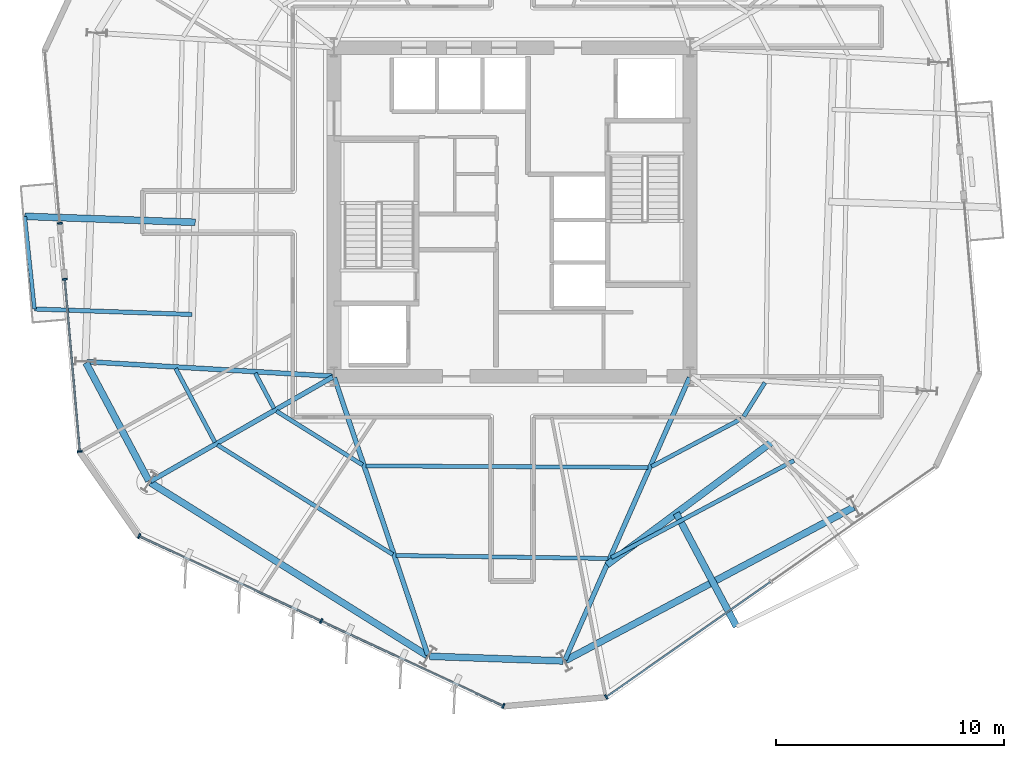
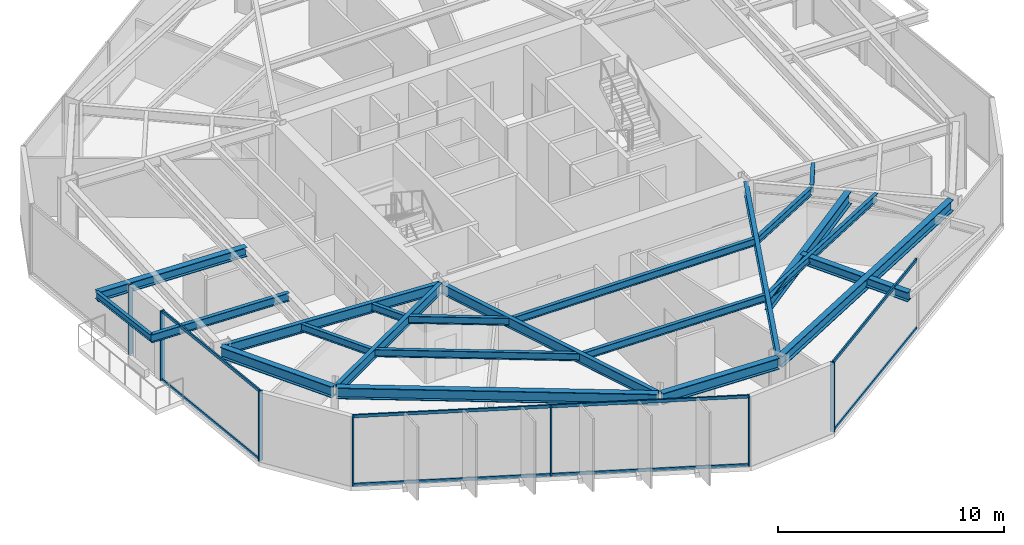
# One storey, part 2 of 13: 22 beams, 15 members, 4 elements without a shape of their own.
"""IFC4 building model written with IfcOpenShell, lengths in metres."""

import ifcopenshell
import ifcopenshell.guid

model = None  # the IFC model being written
_history = None  # IfcOwnerHistory: only IFC2X3 demands one
_inside = {}  # id of a spatial element -> (the spatial element, [elements in it])
_under = {}  # id of a project, library or spatial element -> (it, [spatial elements below it])
_declared = {}  # id of a project -> (the project, [libraries it declares])
_typed = {}  # id of a type object -> (the type object, [elements of that type])
_made_of = {}  # id of a material, layer set ... -> (it, [elements and type objects made of it])


def new_model(schema):
    """Start an empty IFC model of exactly this schema.

    Asked for "IFC4X3", IfcOpenShell would pick the latest addendum, in which some entities
    have other attributes; the version numbers below select the first issue.
    IFC2X3 requires an IfcOwnerHistory on every rooted entity: one is made here for all.
    """
    global model, _history
    if schema == "IFC4X3":
        model = ifcopenshell.file(schema_version=(4, 3, 0, 0))
    else:
        model = ifcopenshell.file(schema=schema)
    _inside.clear()
    _under.clear()
    _declared.clear()
    _typed.clear()
    _made_of.clear()
    _history = None
    if model.schema == "IFC2X3":
        org = make("IfcOrganization", Name="unknown")
        user = make(
            "IfcPersonAndOrganization",
            ThePerson=make("IfcPerson", FamilyName="unknown"),
            TheOrganization=org,
        )
        app = make(
            "IfcApplication",
            ApplicationDeveloper=org,
            Version="unknown",
            ApplicationFullName="unknown",
            ApplicationIdentifier="unknown",
        )
        _history = make(
            "IfcOwnerHistory",
            OwningUser=user,
            OwningApplication=app,
            ChangeAction="ADDED",
            CreationDate=0,
        )
    return model


def make(cls, **values):
    """One entity of the class cls with the attributes given. An attribute that is None is left unset."""
    return model.create_entity(
        cls, **{name: value for name, value in values.items() if value is not None}
    )


def rooted(cls, **values):
    """An entity with a GlobalId (a new one), such as an element, a storey or a relation."""
    return make(cls, GlobalId=ifcopenshell.guid.new(), OwnerHistory=_history, **values)


def si_unit(unit_type, name, prefix=None):
    """IfcSIUnit, for example si_unit("LENGTHUNIT", "METRE", prefix="MILLI")."""
    return make("IfcSIUnit", UnitType=unit_type, Prefix=prefix, Name=name)


def assignment(units):
    """IfcUnitAssignment: the units of a project."""
    return None if units is None else make("IfcUnitAssignment", Units=units)


def point(xyz):
    """IfcCartesianPoint."""
    return None if xyz is None else make("IfcCartesianPoint", Coordinates=xyz)


def direction(xyz):
    """IfcDirection."""
    return None if xyz is None else make("IfcDirection", DirectionRatios=xyz)


def frame(location, z_axis=None, x_axis=None):
    """IfcAxis2Placement3D, a coordinate frame: its origin and axes. An axis left out is left unset."""
    return make(
        "IfcAxis2Placement3D",
        Location=point(location),
        Axis=direction(z_axis),
        RefDirection=direction(x_axis),
    )


def frame_2d(location, x_axis=None):
    """IfcAxis2Placement2D, a coordinate frame in the plane: its origin and x axis."""
    return make(
        "IfcAxis2Placement2D", Location=point(location), RefDirection=direction(x_axis)
    )


def origin():
    """The frame at (0, 0, 0) with its axes left unset."""
    return frame((0.0, 0.0, 0.0))


def origin_2d():
    """The frame at (0, 0) in the plane with its x axis left unset."""
    return frame_2d((0.0, 0.0))


def place(relative_to, where):
    """IfcLocalPlacement: puts the frame where relative to a parent placement (None: the world)."""
    return make(
        "IfcLocalPlacement", PlacementRelTo=relative_to, RelativePlacement=where
    )


def context(
    kind, dimensions, precision=None, world=None, true_north=None, identifier=None
):
    """IfcGeometricRepresentationContext, for example the 3D "Model" context."""
    return make(
        "IfcGeometricRepresentationContext",
        ContextIdentifier=identifier,
        ContextType=kind,
        CoordinateSpaceDimension=dimensions,
        Precision=precision,
        WorldCoordinateSystem=world,
        TrueNorth=true_north,
    )


def subcontext(parent, identifier, kind, view, scale=None):
    """IfcGeometricRepresentationSubContext, for example "Body" below "Model"."""
    return make(
        "IfcGeometricRepresentationSubContext",
        ContextIdentifier=identifier,
        ContextType=kind,
        ParentContext=parent,
        TargetScale=scale,
        TargetView=view,
    )


def project(units=None, contexts=None):
    """IfcProject with its units and contexts."""
    return rooted(
        "IfcProject",
        Name="project",
        RepresentationContexts=contexts,
        UnitsInContext=assignment(units),
    )


def spatial(cls, under=None, at=None, **own):
    """A site, building, storey or space (cls), placed at a placement, below another one or the project."""
    s = rooted(cls, ObjectPlacement=at, **own)
    if under is not None:
        _under.setdefault(under.id(), (under, []))[1].append(s)
    return s


def profile(cls, at=None, kind="AREA", **sizes):
    """A parametric profile (cls). Its sizes go by their IFC names, for example OverallWidth=200.0."""
    return make(cls, ProfileType=kind, Position=at, **sizes)


def rectangle(**sizes):
    """IfcRectangleProfileDef."""
    return profile("IfcRectangleProfileDef", **sizes)


def i_section(**sizes):
    """IfcIShapeProfileDef."""
    return profile("IfcIShapeProfileDef", **sizes)


def extrude(swept, where, along, depth):
    """IfcExtrudedAreaSolid: the profile swept, set in the frame where, extruded along a direction by depth."""
    return make(
        "IfcExtrudedAreaSolid",
        SweptArea=swept,
        Position=where,
        ExtrudedDirection=direction(along),
        Depth=depth,
    )


def shape(context_of_items, identifier, shape_type, items):
    """IfcShapeRepresentation: the items that make up one representation, for example the "Body"."""
    return make(
        "IfcShapeRepresentation",
        ContextOfItems=context_of_items,
        RepresentationIdentifier=identifier,
        RepresentationType=shape_type,
        Items=items,
    )


def material(Name=None, Category=None):
    """IfcMaterial."""
    return make("IfcMaterial", Name=Name, Category=Category)


def layer(
    of_material, thickness, ventilated=None, Name=None, Category=None, Priority=None
):
    """IfcMaterialLayer: one layer of a wall or slab, of a material (None: an air gap)."""
    return make(
        "IfcMaterialLayer",
        Material=of_material,
        LayerThickness=thickness,
        IsVentilated=ventilated,
        Name=Name,
        Category=Category,
        Priority=Priority,
    )


def layer_set(layers, Name=None):
    """IfcMaterialLayerSet."""
    return make("IfcMaterialLayerSet", MaterialLayers=layers, LayerSetName=Name)


def material_profile(
    of_material, cross_section, Name=None, Category=None, Priority=None
):
    """IfcMaterialProfile: a cross section and its material."""
    return make(
        "IfcMaterialProfile",
        Name=Name,
        Material=of_material,
        Profile=cross_section,
        Priority=Priority,
        Category=Category,
    )


def profile_set(profiles, Name=None, composite=None):
    """IfcMaterialProfileSet."""
    return make(
        "IfcMaterialProfileSet",
        Name=Name,
        MaterialProfiles=profiles,
        CompositeProfile=composite,
    )


def made_of(thing, what):
    """Note that an element or type object is made of a material, layer set ...; save() writes the relation."""
    if what is not None:
        _made_of.setdefault(what.id(), (what, []))[1].append(thing)
    return thing


def type_object(cls, material=None, **own):
    """A type object (cls), such as IfcWallType, which elements share."""
    return made_of(rooted(cls, **own), material)


def element(
    cls,
    number,
    at=None,
    inside=None,
    cuts=None,
    type_object=None,
    material=None,
    context=None,
    identifier="Body",
    shape_type=None,
    held_by="IfcProductDefinitionShape",
    body=None,
    shapes=None,
    **own,
):
    """One element of the class cls, such as IfcWall. Its Tag is "e" and its number.

    at: its placement. inside: the storey or other place that contains it. cuts: it is an
    opening in that element (IfcRelVoidsElement). A single representation is given by context,
    identifier, shape_type and body (its items); several are given by shapes. held_by: the class
    of the entity that holds the representations. save() writes the other relations.
    """
    e = rooted(cls, Tag="e%d" % number, ObjectPlacement=at, **own)
    if body is not None:
        shapes = [shape(context, identifier, shape_type, body)]
    if shapes is not None:
        e.Representation = make(held_by, Representations=shapes)
    if inside is not None:
        _inside.setdefault(inside.id(), (inside, []))[1].append(e)
    if cuts is not None:
        rooted(
            "IfcRelVoidsElement", RelatingBuildingElement=cuts, RelatedOpeningElement=e
        )
    if type_object is not None:
        _typed.setdefault(type_object.id(), (type_object, []))[1].append(e)
    return made_of(e, material)


def aggregate(whole, parts):
    """IfcRelAggregates: a whole, such as a stair, and the parts it consists of."""
    return rooted("IfcRelAggregates", RelatingObject=whole, RelatedObjects=parts)


def save(model, path):
    """Write the relations noted so far, then the file.

    IfcRelAggregates (storeys below a building ...), IfcRelContainedInSpatialStructure (elements
    in a storey), IfcRelDefinesByType, IfcRelAssociatesMaterial and IfcRelDeclares: one each for
    every whole, place, type object, material and project.
    """
    for whole, parts in _under.values():
        aggregate(whole, parts)
    for where, things in _inside.values():
        rooted(
            "IfcRelContainedInSpatialStructure",
            RelatedElements=things,
            RelatingStructure=where,
        )
    for kind, things in _typed.values():
        rooted("IfcRelDefinesByType", RelatedObjects=things, RelatingType=kind)
    for what, things in _made_of.values():
        rooted("IfcRelAssociatesMaterial", RelatedObjects=things, RelatingMaterial=what)
    for by, libraries in _declared.values():
        rooted("IfcRelDeclares", RelatingContext=by, RelatedDefinitions=libraries)
    model.write(path)


model = new_model("IFC4")

# Units and contexts
model_context = context("Model", 3, precision=1e-05, world=origin(), true_north=direction((0.0, 1.0)))
body_context = subcontext(model_context, "Body", "Model", "MODEL_VIEW")
ifc_project = project(units=[si_unit("LENGTHUNIT", "METRE"), si_unit("AREAUNIT", "SQUARE_METRE"), si_unit("VOLUMEUNIT", "CUBIC_METRE"), si_unit("PLANEANGLEUNIT", "RADIAN"), si_unit("MASSUNIT", "GRAM", prefix="KILO")], contexts=[model_context])

# Site, building, storey
site_placement = place(None, origin())
site = spatial("IfcSite", under=ifc_project, at=site_placement, CompositionType="ELEMENT")
building_placement = place(site_placement, origin())
building = spatial("IfcBuilding", under=site, at=building_placement, Name="Kranzbogen Civic Tower", CompositionType="ELEMENT")
storey_placement = place(building_placement, frame((0.0, 0.0, 162.39990234375)))
storey = spatial("IfcBuildingStorey", under=building, at=storey_placement, Name="L39", CompositionType="ELEMENT", Elevation=162.39990234375)

# Beam
ifc_material_1 = material(Name="Steel S355", Category="steel")
ifc_material_profile_1 = material_profile(ifc_material_1, i_section(OverallWidth=0.18994140625, OverallDepth=0.449951171875, WebThickness=0.009521484375, FlangeThickness=0.0146484375, at=origin_2d()), Name="IPE 450")
ifc_profile_set_1 = profile_set([ifc_material_profile_1], Name="Steel S355")
beam_type_1 = type_object("IfcBeamType", Name="Braced Terrace Edge Beam IPE 450", PredefinedType="BEAM", material=ifc_profile_set_1)
beam_1_placement = place(storey_placement, frame((10.98388671875, 20.508056640625, 3.525146484375), z_axis=(-0.999391430278, 0.034882217331, 0.0), x_axis=(-0.034882217331, -0.999391430278, 0.0)))
element("IfcBeam", 1, at=beam_1_placement, inside=storey, type_object=beam_type_1, Name="L40 back-spanned terrace beam L40-TB1-2", PredefinedType="BEAM", context=body_context, shape_type="SweptSolid", body=[
    extrude(i_section(OverallWidth=0.18994140625, OverallDepth=0.449951171875, WebThickness=0.009521484375, FlangeThickness=0.0146484375, at=origin_2d()), origin(), (0.0, 0.0, 1.0), 6.907958984375),
])

# Curtain wall, member
ifc_material_2 = material(Name="Pale Anodised Aluminium", Category="aluminium")
ifc_layer = layer(ifc_material_2, 0.219970703125, Name="Pale Anodised Aluminium")
ifc_layer_set = layer_set([ifc_layer], Name="Pale Anodised Aluminium")
curtain_wall_type = type_object("IfcCurtainWallType", Name="Zone 2 Stick Curtain Wall System CW-03", PredefinedType="USERDEFINED", material=ifc_layer_set)
curtain_wall_1_placement = place(storey_placement, origin())
curtain_wall_1 = element("IfcCurtainWall", 2, at=curtain_wall_1_placement, inside=storey, type_object=curtain_wall_type, Name="L39 curtain wall CW-L39-F3-S1", ObjectType="STICK CURTAIN WALL", PredefinedType="USERDEFINED")
ifc_material_profile_2 = material_profile(ifc_material_2, rectangle(XDim=0.074951171875, YDim=0.219970703125, at=origin_2d()), Name="ALU-M 75x220")
ifc_profile_set_2 = profile_set([ifc_material_profile_2], Name="Pale Anodised Aluminium")
member_type_1 = type_object("IfcMemberType", Name="Curtain Wall Mullion ALU-M 75x220", PredefinedType="MULLION", material=ifc_profile_set_2)
member_1_placement = place(storey_placement, frame((5.1953125, 24.5029296875, 0.0), z_axis=(0.0, 0.0, 1.0), x_axis=(0.087121445202, -0.996197698143, 0.0)))
member_1 = element("IfcMember", 3, at=member_1_placement, type_object=member_type_1, Name="CW-03 mullion 2", PredefinedType="MULLION", context=body_context, shape_type="SweptSolid", body=[
    extrude(rectangle(XDim=0.074951171875, YDim=0.219970703125, at=origin_2d()), origin(), (0.0, 0.0, 1.0), 3.760009765625),
])
aggregate(curtain_wall_1, [member_1])

# Curtain wall, members
curtain_wall_2_placement = place(storey_placement, origin())
curtain_wall_2 = element("IfcCurtainWall", 4, at=curtain_wall_2_placement, inside=storey, type_object=curtain_wall_type, Name="L39 curtain wall CW-L39-F3-S2", ObjectType="STICK CURTAIN WALL", PredefinedType="USERDEFINED")
member_2_placement = place(storey_placement, frame((5.41064453125, 22.052001953125, 0.0), z_axis=(0.0, 0.0, 1.0), x_axis=(0.087098710395, -0.996199686131, 0.0)))
member_2 = element("IfcMember", 5, at=member_2_placement, type_object=member_type_1, Name="CW-03 mullion 1", PredefinedType="MULLION", context=body_context, shape_type="SweptSolid", body=[
    extrude(rectangle(XDim=0.074951171875, YDim=0.219970703125, at=origin_2d()), origin(), (0.0, 0.0, 1.0), 3.760009765625),
])
member_3_placement = place(storey_placement, frame((6.0703125, 14.505859375, 0.0), z_axis=(0.0, 0.0, 1.0), x_axis=(0.087098710395, -0.996199686131, 0.0)))
member_3 = element("IfcMember", 6, at=member_3_placement, type_object=member_type_1, Name="CW-03 mullion 2", PredefinedType="MULLION", context=body_context, shape_type="SweptSolid", body=[
    extrude(rectangle(XDim=0.074951171875, YDim=0.219970703125, at=origin_2d()), origin(), (0.0, 0.0, 1.0), 3.760009765625),
])

curtain_wall_3_placement = place(storey_placement, origin())
curtain_wall_3 = element("IfcCurtainWall", 7, at=curtain_wall_3_placement, inside=storey, type_object=curtain_wall_type, Name="L39 curtain wall CW-L39-F4", ObjectType="STICK CURTAIN WALL", PredefinedType="USERDEFINED")
member_4_placement = place(storey_placement, frame((8.665283203125, 10.80126953125, 0.0), z_axis=(0.0, 0.0, 1.0), x_axis=(0.906297342068, -0.422640660325, 0.0)))
member_4 = element("IfcMember", 8, at=member_4_placement, type_object=member_type_1, Name="CW-03 mullion 1", PredefinedType="MULLION", context=body_context, shape_type="SweptSolid", body=[
    extrude(rectangle(XDim=0.074951171875, YDim=0.219970703125, at=origin_2d()), origin(), (0.0, 0.0, 1.0), 3.760009765625),
])
member_5_placement = place(storey_placement, frame((16.64404296875, 7.08056640625, 0.0), z_axis=(0.0, 0.0, 1.0), x_axis=(0.906297342068, -0.422640660325, 0.0)))
member_5 = element("IfcMember", 9, at=member_5_placement, type_object=member_type_1, Name="CW-03 mullion 2", PredefinedType="MULLION", context=body_context, shape_type="SweptSolid", body=[
    extrude(rectangle(XDim=0.074951171875, YDim=0.219970703125, at=origin_2d()), origin(), (0.0, 0.0, 1.0), 3.760009765625),
])
member_6_placement = place(storey_placement, frame((24.622802734375, 3.359619140625, 0.0), z_axis=(0.0, 0.0, 1.0), x_axis=(0.906297342068, -0.422640660325, 0.0)))
member_6 = element("IfcMember", 10, at=member_6_placement, type_object=member_type_1, Name="CW-03 mullion 3", PredefinedType="MULLION", context=body_context, shape_type="SweptSolid", body=[
    extrude(rectangle(XDim=0.074951171875, YDim=0.219970703125, at=origin_2d()), origin(), (0.0, 0.0, 1.0), 3.760009765625),
])

# Curtain wall, member
curtain_wall_4_placement = place(storey_placement, origin())
curtain_wall_4 = element("IfcCurtainWall", 11, at=curtain_wall_4_placement, inside=storey, type_object=curtain_wall_type, Name="L39 curtain wall CW-L39-F5", ObjectType="STICK CURTAIN WALL", PredefinedType="USERDEFINED")
member_7_placement = place(storey_placement, frame((29.128662109375, 3.753173828125, 0.0), z_axis=(0.0, 0.0, 1.0), x_axis=(0.819128209285, 0.573610474759, 0.0)))
member_7 = element("IfcMember", 12, at=member_7_placement, type_object=member_type_1, Name="CW-03 mullion 1", PredefinedType="MULLION", context=body_context, shape_type="SweptSolid", body=[
    extrude(rectangle(XDim=0.074951171875, YDim=0.219970703125, at=origin_2d()), origin(), (0.0, 0.0, 1.0), 3.760009765625),
])

# Member
ifc_material_profile_3 = material_profile(ifc_material_2, rectangle(XDim=0.074951171875, YDim=0.1650390625, at=origin_2d()), Name="ALU-T 75x165")
ifc_profile_set_3 = profile_set([ifc_material_profile_3], Name="Pale Anodised Aluminium")
member_type_2 = type_object("IfcMemberType", Name="Curtain Wall Transom ALU-T 75x165", PredefinedType="USERDEFINED", material=ifc_profile_set_3)
member_8_placement = place(storey_placement, frame((5.413330078125, 22.022216796875, 0.030029296875), z_axis=(0.087099244499, -0.996199639434, 0.0), x_axis=(0.996199639434, 0.087099244499, 0.0)))
member_8 = element("IfcMember", 13, at=member_8_placement, type_object=member_type_2, Name="CW-03 transom 1.1", ObjectType="TRANSOM", PredefinedType="USERDEFINED", context=body_context, shape_type="SweptSolid", body=[
    extrude(rectangle(XDim=0.074951171875, YDim=0.1650390625, at=origin_2d()), origin(), (0.0, 0.0, 1.0), 7.514892578125),
])

member_9_placement = place(storey_placement, frame((5.413330078125, 22.022216796875, 3.72998046875), z_axis=(0.087099244499, -0.996199639434, 0.0), x_axis=(0.996199639434, 0.087099244499, 0.0)))
member_9 = element("IfcMember", 14, at=member_9_placement, type_object=member_type_2, Name="CW-03 transom 1.2", ObjectType="TRANSOM", PredefinedType="USERDEFINED", context=body_context, shape_type="SweptSolid", body=[
    extrude(rectangle(XDim=0.074951171875, YDim=0.1650390625, at=origin_2d()), origin(), (0.0, 0.0, 1.0), 7.514892578125),
])

aggregate(curtain_wall_2, [member_2, member_3, member_8, member_9])

member_10_placement = place(storey_placement, frame((8.6923828125, 10.78857421875, 0.030029296875), z_axis=(0.906301519414, -0.422631702441, 0.0), x_axis=(0.422631702441, 0.906301519414, 0.0)))
member_10 = element("IfcMember", 15, at=member_10_placement, type_object=member_type_2, Name="CW-03 transom 1.1", ObjectType="TRANSOM", PredefinedType="USERDEFINED", context=body_context, shape_type="SweptSolid", body=[
    extrude(rectangle(XDim=0.074951171875, YDim=0.1650390625, at=origin_2d()), origin(), (0.0, 0.0, 1.0), 8.74365234375),
])

member_11_placement = place(storey_placement, frame((8.6923828125, 10.78857421875, 3.72998046875), z_axis=(0.906301519414, -0.422631702441, 0.0), x_axis=(0.422631702441, 0.906301519414, 0.0)))
member_11 = element("IfcMember", 16, at=member_11_placement, type_object=member_type_2, Name="CW-03 transom 1.2", ObjectType="TRANSOM", PredefinedType="USERDEFINED", context=body_context, shape_type="SweptSolid", body=[
    extrude(rectangle(XDim=0.074951171875, YDim=0.1650390625, at=origin_2d()), origin(), (0.0, 0.0, 1.0), 8.74365234375),
])

member_12_placement = place(storey_placement, frame((16.671142578125, 7.06787109375, 0.030029296875), z_axis=(0.906295811831, -0.422643941702, 0.0), x_axis=(0.422643941702, 0.906295811831, 0.0)))
member_12 = element("IfcMember", 17, at=member_12_placement, type_object=member_type_2, Name="CW-03 transom 2.1", ObjectType="TRANSOM", PredefinedType="USERDEFINED", context=body_context, shape_type="SweptSolid", body=[
    extrude(rectangle(XDim=0.074951171875, YDim=0.1650390625, at=origin_2d()), origin(), (0.0, 0.0, 1.0), 8.743896484375),
])

member_13_placement = place(storey_placement, frame((16.671142578125, 7.06787109375, 3.72998046875), z_axis=(0.906295811831, -0.422643941702, 0.0), x_axis=(0.422643941702, 0.906295811831, 0.0)))
member_13 = element("IfcMember", 18, at=member_13_placement, type_object=member_type_2, Name="CW-03 transom 2.2", ObjectType="TRANSOM", PredefinedType="USERDEFINED", context=body_context, shape_type="SweptSolid", body=[
    extrude(rectangle(XDim=0.074951171875, YDim=0.1650390625, at=origin_2d()), origin(), (0.0, 0.0, 1.0), 8.743896484375),
])

aggregate(curtain_wall_3, [member_4, member_5, member_6, member_10, member_11, member_12, member_13])

member_14_placement = place(storey_placement, frame((29.153076171875, 3.7705078125, 0.030029296875), z_axis=(0.819130910341, 0.573606617573, 0.0), x_axis=(-0.573606617573, 0.819130910341, 0.0)))
member_14 = element("IfcMember", 19, at=member_14_placement, type_object=member_type_2, Name="CW-03 transom 1.1", ObjectType="TRANSOM", PredefinedType="USERDEFINED", context=body_context, shape_type="SweptSolid", body=[
    extrude(rectangle(XDim=0.074951171875, YDim=0.1650390625, at=origin_2d()), origin(), (0.0, 0.0, 1.0), 8.744384765625),
])

member_15_placement = place(storey_placement, frame((29.153076171875, 3.7705078125, 3.72998046875), z_axis=(0.819130910341, 0.573606617573, 0.0), x_axis=(-0.573606617573, 0.819130910341, 0.0)))
member_15 = element("IfcMember", 20, at=member_15_placement, type_object=member_type_2, Name="CW-03 transom 1.2", ObjectType="TRANSOM", PredefinedType="USERDEFINED", context=body_context, shape_type="SweptSolid", body=[
    extrude(rectangle(XDim=0.074951171875, YDim=0.1650390625, at=origin_2d()), origin(), (0.0, 0.0, 1.0), 8.744384765625),
])

aggregate(curtain_wall_4, [member_7, member_14, member_15])

# Beams
ifc_material_profile_4 = material_profile(ifc_material_1, i_section(OverallWidth=0.300048828125, OverallDepth=0.5, WebThickness=0.014404296875, FlangeThickness=0.028076171875, at=origin_2d()), Name="HEB 500")
ifc_profile_set_4 = profile_set([ifc_material_profile_4], Name="Steel S355")
beam_type_2 = type_object("IfcBeamType", Name="Perimeter Tube Spandrel Beam HEB 500", PredefinedType="SPANDREL", material=ifc_profile_set_4)
beam_2_placement = place(storey_placement, frame((11.1240234375, 24.5458984375, 3.5), z_axis=(-0.999390383229, 0.034912202858, 0.0), x_axis=(-0.034912202858, -0.999390383229, 0.0)))
element("IfcBeam", 21, at=beam_2_placement, inside=storey, type_object=beam_type_2, Name="L40 back-spanned terrace beam L40-TB1-1", PredefinedType="SPANDREL", context=body_context, shape_type="SweptSolid", body=[
    extrude(i_section(OverallWidth=0.300048828125, OverallDepth=0.5, WebThickness=0.014404296875, FlangeThickness=0.028076171875, at=origin_2d()), origin(), (0.0, 0.0, 1.0), 7.4755859375),
])
beam_3_placement = place(storey_placement, frame((32.196044921875, 11.801025390625, 3.47021484375), z_axis=(0.469530875171, -0.882916053349, 0.0), x_axis=(0.882916053349, 0.469530875171, 0.0)))
element("IfcBeam", 22, at=beam_3_placement, inside=storey, type_object=beam_type_2, Name="L40 back-spanned terrace beam L40-ST-1", PredefinedType="SPANDREL", context=body_context, shape_type="SweptSolid", body=[
    extrude(i_section(OverallWidth=0.300048828125, OverallDepth=0.5, WebThickness=0.014404296875, FlangeThickness=0.028076171875, at=origin_2d()), origin(), (0.0, 0.0, 1.0), 5.622314453125),
])
ifc_material_profile_5 = material_profile(ifc_material_1, i_section(OverallWidth=0.300048828125, OverallDepth=0.60009765625, WebThickness=0.015380859375, FlangeThickness=0.030029296875, at=origin_2d()), Name="HEB 600")
ifc_profile_set_5 = profile_set([ifc_material_profile_5], Name="Steel S355")
beam_type_3 = type_object("IfcBeamType", Name="Perimeter Tube Spandrel Beam HEB 600", PredefinedType="SPANDREL", material=ifc_profile_set_5)
beam_4_placement = place(storey_placement, frame((6.337890625, 18.39111328125, 3.460205078125), z_axis=(0.469565926668, -0.882897412224, 0.0), x_axis=(0.882897412224, 0.469565926668, 0.0)))
element("IfcBeam", 23, at=beam_4_placement, inside=storey, type_object=beam_type_3, Name="L39 perimeter spandrel beam 01", PredefinedType="SPANDREL", context=body_context, shape_type="SweptSolid", body=[
    extrude(i_section(OverallWidth=0.300048828125, OverallDepth=0.60009765625, WebThickness=0.015380859375, FlangeThickness=0.030029296875, at=origin_2d()), origin(), (0.0, 0.0, 1.0), 5.852294921875),
])
beam_5_placement = place(storey_placement, frame((9.1650390625, 13.138916015625, 3.460205078125), z_axis=(0.848051101349, -0.52991445489, 0.0), x_axis=(0.52991445489, 0.848051101349, 0.0)))
element("IfcBeam", 24, at=beam_5_placement, inside=storey, type_object=beam_type_3, Name="L39 perimeter spandrel beam 02", PredefinedType="SPANDREL", context=body_context, shape_type="SweptSolid", body=[
    extrude(i_section(OverallWidth=0.300048828125, OverallDepth=0.60009765625, WebThickness=0.015380859375, FlangeThickness=0.030029296875, at=origin_2d()), origin(), (0.0, 0.0, 1.0), 14.286865234375),
])
beam_6_placement = place(storey_placement, frame((21.39208984375, 5.533935546875, 3.460205078125), z_axis=(0.999393148233, -0.03483296234, 0.0), x_axis=(0.03483296234, 0.999393148233, 0.0)))
element("IfcBeam", 25, at=beam_6_placement, inside=storey, type_object=beam_type_3, Name="L39 perimeter spandrel beam 03", PredefinedType="SPANDREL", context=body_context, shape_type="SweptSolid", body=[
    extrude(i_section(OverallWidth=0.300048828125, OverallDepth=0.60009765625, WebThickness=0.015380859375, FlangeThickness=0.030029296875, at=origin_2d()), origin(), (0.0, 0.0, 1.0), 5.8525390625),
])
beam_7_placement = place(storey_placement, frame((27.35400390625, 5.35595703125, 3.460205078125), z_axis=(0.882948194046, 0.469470432116, 0.0), x_axis=(-0.469470432116, 0.882948194046, 0.0)))
element("IfcBeam", 26, at=beam_7_placement, inside=storey, type_object=beam_type_3, Name="L39 perimeter spandrel beam 04", PredefinedType="SPANDREL", context=body_context, shape_type="SweptSolid", body=[
    extrude(i_section(OverallWidth=0.300048828125, OverallDepth=0.60009765625, WebThickness=0.015380859375, FlangeThickness=0.030029296875, at=origin_2d()), origin(), (0.0, 0.0, 1.0), 14.28857421875),
])
ifc_material_profile_6 = material_profile(ifc_material_1, i_section(OverallWidth=0.300048828125, OverallDepth=0.699951171875, WebThickness=0.01708984375, FlangeThickness=0.031982421875, at=origin_2d()), Name="HEB 700")
ifc_profile_set_6 = profile_set([ifc_material_profile_6], Name="Steel S355")
beam_type_4 = type_object("IfcBeamType", Name="Perimeter Tube Spandrel Beam HEB 700", PredefinedType="SPANDREL", material=ifc_profile_set_6)
beam_8_placement = place(storey_placement, frame((29.156982421875, 9.537109375, 3.3701171875), z_axis=(0.801896259305, 0.597463295369, 0.0), x_axis=(-0.597463295369, 0.801896259305, 0.0)))
element("IfcBeam", 27, at=beam_8_placement, inside=storey, type_object=beam_type_4, Name="L40 balcony back-span header girder L40-ST", PredefinedType="SPANDREL", context=body_context, shape_type="SweptSolid", body=[
    extrude(i_section(OverallWidth=0.300048828125, OverallDepth=0.699951171875, WebThickness=0.01708984375, FlangeThickness=0.031982421875, at=origin_2d()), origin(), (0.0, 0.0, 1.0), 9.0498046875),
])
ifc_material_profile_7 = material_profile(ifc_material_1, i_section(OverallWidth=0.2099609375, OverallDepth=0.550048828125, WebThickness=0.010986328125, FlangeThickness=0.01708984375, at=origin_2d()), Name="IPE 550")
ifc_profile_set_7 = profile_set([ifc_material_profile_7], Name="Steel S355")
beam_type_5 = type_object("IfcBeamType", Name="Radial Tower Floor Girder IPE 550", PredefinedType="BEAM", material=ifc_profile_set_7)
beam_9_placement = place(storey_placement, frame((6.3701171875, 18.43994140625, 3.485107421875), z_axis=(0.998260925387, -0.058950189528, 0.0), x_axis=(0.058950189528, 0.998260925387, 0.0)))
element("IfcBeam", 28, at=beam_9_placement, inside=storey, type_object=beam_type_5, Name="L39 radial floor girder 01", PredefinedType="BEAM", context=body_context, shape_type="SweptSolid", body=[
    extrude(i_section(OverallWidth=0.2099609375, OverallDepth=0.550048828125, WebThickness=0.010986328125, FlangeThickness=0.01708984375, at=origin_2d()), origin(), (0.0, 0.0, 1.0), 10.78857421875),
])
beam_10_placement = place(storey_placement, frame((9.166015625, 13.200927734375, 3.485107421875), z_axis=(0.867868812182, 0.496793442833, 0.0), x_axis=(-0.496793442833, 0.867868812182, 0.0)))
element("IfcBeam", 29, at=beam_10_placement, inside=storey, type_object=beam_type_5, Name="L39 radial floor girder 02", PredefinedType="BEAM", context=body_context, shape_type="SweptSolid", body=[
    extrude(i_section(OverallWidth=0.2099609375, OverallDepth=0.550048828125, WebThickness=0.010986328125, FlangeThickness=0.01708984375, at=origin_2d()), origin(), (0.0, 0.0, 1.0), 9.197265625),
])
beam_11_placement = place(storey_placement, frame((21.31298828125, 5.593017578125, 3.485107421875), z_axis=(-0.319316617377, 0.947648087566, 0.0), x_axis=(-0.947648087566, -0.319316617377, 0.0)))
element("IfcBeam", 30, at=beam_11_placement, inside=storey, type_object=beam_type_5, Name="L39 radial floor girder 03", PredefinedType="BEAM", context=body_context, shape_type="SweptSolid", body=[
    extrude(i_section(OverallWidth=0.2099609375, OverallDepth=0.550048828125, WebThickness=0.010986328125, FlangeThickness=0.01708984375, at=origin_2d()), origin(), (0.0, 0.0, 1.0), 12.821044921875),
])
beam_12_placement = place(storey_placement, frame((27.324951171875, 5.383056640625, 3.485107421875), z_axis=(0.403459127705, 0.914997667905, 0.0), x_axis=(-0.914997667905, 0.403459127705, 0.0)))
element("IfcBeam", 31, at=beam_12_placement, inside=storey, type_object=beam_type_5, Name="L39 radial floor girder 04", PredefinedType="BEAM", context=body_context, shape_type="SweptSolid", body=[
    extrude(i_section(OverallWidth=0.2099609375, OverallDepth=0.550048828125, WebThickness=0.010986328125, FlangeThickness=0.01708984375, at=origin_2d()), origin(), (0.0, 0.0, 1.0), 13.510498046875),
])
ifc_material_profile_8 = material_profile(ifc_material_1, i_section(OverallWidth=0.169921875, OverallDepth=0.360107421875, WebThickness=0.008056640625, FlangeThickness=0.0126953125, at=origin_2d()), Name="IPE 360")
ifc_profile_set_8 = profile_set([ifc_material_profile_8], Name="Steel S355")
beam_type_6 = type_object("IfcBeamType", Name="Secondary Composite Floor Joist IPE 360", PredefinedType="JOIST", material=ifc_profile_set_8)
beam_13_placement = place(storey_placement, frame((3.653076171875, 24.806884765625, 3.570068359375), z_axis=(0.104650523063, -0.994509058794, 0.0), x_axis=(0.994509058794, 0.104650523063, 0.0)))
element("IfcBeam", 32, at=beam_13_placement, inside=storey, type_object=beam_type_6, Name="L40 terrace outer edge trimmer L40-TB1", PredefinedType="JOIST", context=body_context, shape_type="SweptSolid", body=[
    extrude(i_section(OverallWidth=0.169921875, OverallDepth=0.360107421875, WebThickness=0.008056640625, FlangeThickness=0.0126953125, at=origin_2d()), origin(), (0.0, 0.0, 1.0), 4.080322265625),
])
ifc_material_profile_9 = material_profile(ifc_material_1, i_section(OverallWidth=0.179931640625, OverallDepth=0.39990234375, WebThickness=0.008544921875, FlangeThickness=0.013427734375, at=origin_2d()), Name="IPE 400")
ifc_profile_set_9 = profile_set([ifc_material_profile_9], Name="Steel S355")
beam_type_7 = type_object("IfcBeamType", Name="Secondary Composite Floor Joist IPE 400", PredefinedType="JOIST", material=ifc_profile_set_9)
beam_14_placement = place(storey_placement, frame((10.26806640625, 18.14208984375, 3.56005859375), z_axis=(0.469338791783, -0.88301817565, 0.0), x_axis=(0.88301817565, 0.469338791783, 0.0)))
element("IfcBeam", 33, at=beam_14_placement, inside=storey, type_object=beam_type_7, Name="L39 secondary floor joist 1.01", PredefinedType="JOIST", context=body_context, shape_type="SweptSolid", body=[
    extrude(i_section(OverallWidth=0.179931640625, OverallDepth=0.39990234375, WebThickness=0.008544921875, FlangeThickness=0.013427734375, at=origin_2d()), origin(), (0.0, 0.0, 1.0), 3.66259765625),
])
beam_15_placement = place(storey_placement, frame((13.7529296875, 17.93505859375, 3.56005859375), z_axis=(0.46943723363, -0.882965845139, 0.0), x_axis=(0.882965845139, 0.46943723363, 0.0)))
element("IfcBeam", 34, at=beam_15_placement, inside=storey, type_object=beam_type_7, Name="L39 secondary floor joist 2.01", PredefinedType="JOIST", context=body_context, shape_type="SweptSolid", body=[
    extrude(i_section(OverallWidth=0.179931640625, OverallDepth=0.39990234375, WebThickness=0.008544921875, FlangeThickness=0.013427734375, at=origin_2d()), origin(), (0.0, 0.0, 1.0), 1.7509765625),
])
beam_16_placement = place(storey_placement, frame((12.093017578125, 14.794921875, 3.56005859375), z_axis=(0.848025549308, -0.529955345026, 0.0), x_axis=(0.529955345026, 0.848025549308, 0.0)))
element("IfcBeam", 35, at=beam_16_placement, inside=storey, type_object=beam_type_7, Name="L39 secondary floor joist 1.02", PredefinedType="JOIST", context=body_context, shape_type="SweptSolid", body=[
    extrude(i_section(OverallWidth=0.179931640625, OverallDepth=0.39990234375, WebThickness=0.008544921875, FlangeThickness=0.013427734375, at=origin_2d()), origin(), (0.0, 0.0, 1.0), 9.06103515625),
])
beam_17_placement = place(storey_placement, frame((14.679931640625, 16.27587890625, 3.56005859375), z_axis=(0.848093834398, -0.529846060716, 0.0), x_axis=(0.529846060716, 0.848093834398, 0.0)))
element("IfcBeam", 36, at=beam_17_placement, inside=storey, type_object=beam_type_7, Name="L39 secondary floor joist 2.02", PredefinedType="JOIST", context=body_context, shape_type="SweptSolid", body=[
    extrude(i_section(OverallWidth=0.179931640625, OverallDepth=0.39990234375, WebThickness=0.008544921875, FlangeThickness=0.013427734375, at=origin_2d()), origin(), (0.0, 0.0, 1.0), 4.4501953125),
])
beam_18_placement = place(storey_placement, frame((19.924072265625, 9.949951171875, 3.56005859375), z_axis=(0.999900525148, -0.014104602386, 0.0), x_axis=(0.014104602386, 0.999900525148, 0.0)))
element("IfcBeam", 37, at=beam_18_placement, inside=storey, type_object=beam_type_7, Name="L39 secondary floor joist 1.03", PredefinedType="JOIST", context=body_context, shape_type="SweptSolid", body=[
    extrude(i_section(OverallWidth=0.179931640625, OverallDepth=0.39990234375, WebThickness=0.008544921875, FlangeThickness=0.013427734375, at=origin_2d()), origin(), (0.0, 0.0, 1.0), 9.27783203125),
])
beam_19_placement = place(storey_placement, frame((18.60205078125, 13.875, 3.56005859375), z_axis=(0.999985774147, -0.005333995002, 0.0), x_axis=(0.005333995002, 0.999985774147, 0.0)))
element("IfcBeam", 38, at=beam_19_placement, inside=storey, type_object=beam_type_7, Name="L39 secondary floor joist 2.03", PredefinedType="JOIST", context=body_context, shape_type="SweptSolid", body=[
    extrude(i_section(OverallWidth=0.179931640625, OverallDepth=0.39990234375, WebThickness=0.008544921875, FlangeThickness=0.013427734375, at=origin_2d()), origin(), (0.0, 0.0, 1.0), 12.358154296875),
])
beam_20_placement = place(storey_placement, frame((29.35107421875, 9.85498046875, 3.56005859375), z_axis=(0.882960787661, 0.469446746131, 0.0), x_axis=(-0.469446746131, 0.882960787661, 0.0)))
element("IfcBeam", 39, at=beam_20_placement, inside=storey, type_object=beam_type_7, Name="L39 secondary floor joist 1.04", PredefinedType="JOIST", context=body_context, shape_type="SweptSolid", body=[
    extrude(i_section(OverallWidth=0.179931640625, OverallDepth=0.39990234375, WebThickness=0.008544921875, FlangeThickness=0.013427734375, at=origin_2d()), origin(), (0.0, 0.0, 1.0), 9.0615234375),
])
beam_21_placement = place(storey_placement, frame((31.111083984375, 13.846923828125, 3.56005859375), z_axis=(0.882991399158, 0.469389165844, 0.0), x_axis=(-0.469389165844, 0.882991399158, 0.0)))
element("IfcBeam", 40, at=beam_21_placement, inside=storey, type_object=beam_type_7, Name="L39 secondary floor joist 2.04", PredefinedType="JOIST", context=body_context, shape_type="SweptSolid", body=[
    extrude(i_section(OverallWidth=0.179931640625, OverallDepth=0.39990234375, WebThickness=0.008544921875, FlangeThickness=0.013427734375, at=origin_2d()), origin(), (0.0, 0.0, 1.0), 4.45068359375),
])
beam_22_placement = place(storey_placement, frame((35.154052734375, 16.041015625, 3.56005859375), z_axis=(0.529572623603, 0.84826460278, 0.0), x_axis=(-0.84826460278, 0.529572623603, 0.0)))
element("IfcBeam", 41, at=beam_22_placement, inside=storey, type_object=beam_type_7, Name="L39 secondary floor joist 2.05", PredefinedType="JOIST", context=body_context, shape_type="SweptSolid", body=[
    extrude(i_section(OverallWidth=0.179931640625, OverallDepth=0.39990234375, WebThickness=0.008544921875, FlangeThickness=0.013427734375, at=origin_2d()), origin(), (0.0, 0.0, 1.0), 1.75048828125),
])

save(model, "model.ifc")
